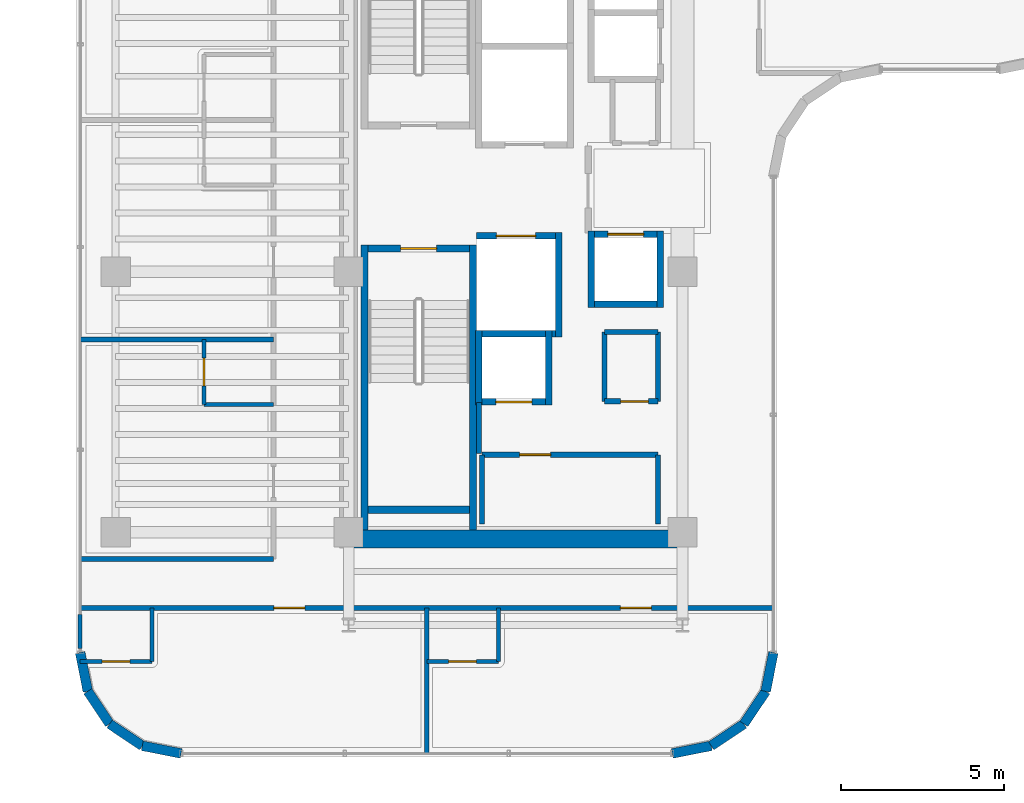
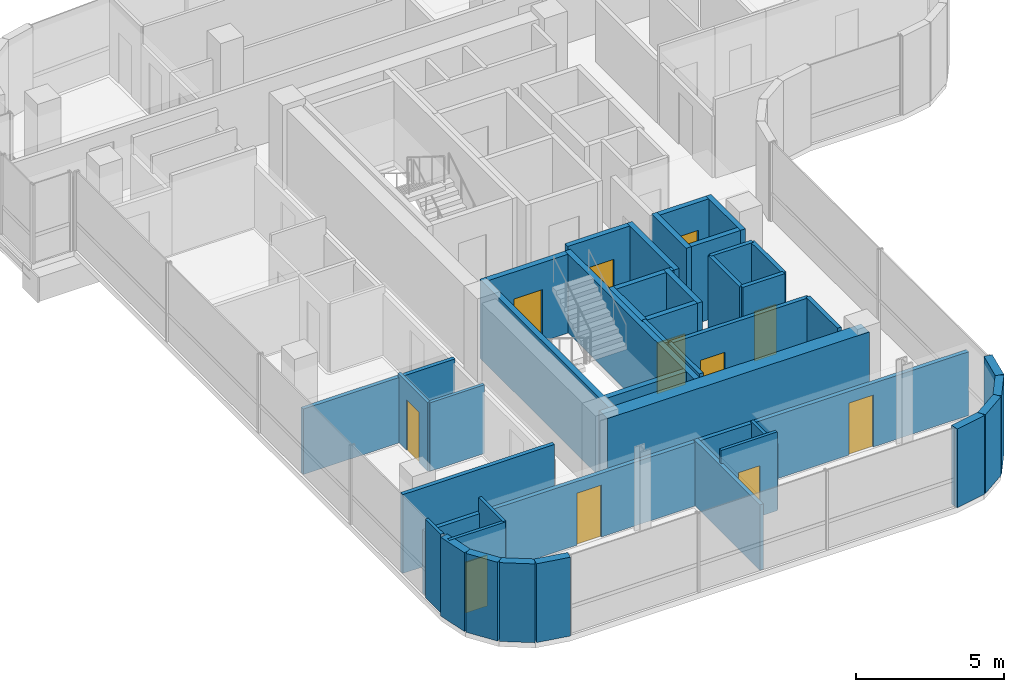
# One storey, part 17 of 23: 42 walls, 11 doors, 11 openings.
"""IFC4 building model written with IfcOpenShell, lengths in metres."""

from ifc_helpers import new_model, si_unit, direction, frame, frame_2d, origin, place, context, subcontext, project, spatial, rectangle, extrude, material, layer, layer_set, type_object, element, fill, save


model = new_model("IFC4")

# Units and contexts
model_context = context("Model", 3, precision=1e-05, world=origin(), true_north=direction((0.0, 1.0)))
body_context = subcontext(model_context, "Body", "Model", "MODEL_VIEW")
ifc_project = project(units=[si_unit("LENGTHUNIT", "METRE"), si_unit("AREAUNIT", "SQUARE_METRE"), si_unit("VOLUMEUNIT", "CUBIC_METRE"), si_unit("PLANEANGLEUNIT", "RADIAN"), si_unit("MASSUNIT", "GRAM", prefix="KILO")], contexts=[model_context])

# Site, building, storey
site_placement = place(None, origin())
site = spatial("IfcSite", under=ifc_project, at=site_placement, CompositionType="ELEMENT")
building_placement = place(site_placement, origin())
building = spatial("IfcBuilding", under=site, at=building_placement, Name="Valdorenza Pilgrim Sanctuary Tower", CompositionType="ELEMENT")
storey_placement = place(building_placement, frame((0.0, 0.0, 226.5)))
storey = spatial("IfcBuildingStorey", under=building, at=storey_placement, Name="L58", CompositionType="ELEMENT", Elevation=226.5)

# Wall
ifc_material_1 = material(Name="Acoustic twin-stud gypsum partition", Category="gypsum")
ifc_layer_1 = layer(ifc_material_1, 0.159912109375, Name="Acoustic twin-stud gypsum partition")
ifc_layer_set_1 = layer_set([ifc_layer_1], Name="Acoustic twin-stud gypsum partition")
wall_type_1 = type_object("IfcWallType", Name="WAL-COR-160", PredefinedType="PARTITIONING", material=ifc_layer_set_1)
wall_1_placement = place(storey_placement, frame((-18.64990234375, -8.179931640625, 0.0), z_axis=(0.0, 0.0, 1.0), x_axis=(0.0, 1.0, 0.0)))
element("IfcWall", 1, at=wall_1_placement, inside=storey, type_object=wall_type_1, Name="L58 Core A South Lift Hall West Wall", PredefinedType="PARTITIONING", context=body_context, shape_type="SweptSolid", body=[
    extrude(rectangle(XDim=1.559814453125, YDim=0.159912109375, at=frame_2d((0.77978515625, 0.0))), origin(), (0.0, 0.0, 1.0), 3.260009765625),
])

# Wall, opening, door
wall_2_placement = place(storey_placement, frame((-18.550048828125, -8.219970703125, 0.0), z_axis=(0.0, 0.0, 1.0), x_axis=(1.0, 0.0, 0.0)))
wall_2 = element("IfcWall", 2, at=wall_2_placement, inside=storey, type_object=wall_type_1, Name="L58 Freed Shaft 1 North Wall", PredefinedType="PARTITIONING", context=body_context, shape_type="SweptSolid", body=[
    extrude(rectangle(XDim=5.400146484375, YDim=0.159912109375, at=frame_2d((2.7001953125, 0.0))), origin(), (0.0, 0.0, 1.0), 3.260009765625),
])
opening_1_placement = place(wall_2_placement, frame((1.14990234375, 0.0, 0.0)))
opening_1 = element("IfcOpeningElement", 3, at=opening_1_placement, cuts=wall_2, Name="Opening DR-UN1", PredefinedType="OPENING", context=body_context, shape_type="SweptSolid", body=[
    extrude(rectangle(XDim=0.949951171875, YDim=2.14990234375, at=frame_2d((0.47509765625, 1.074951171875))), frame((0.0, 0.0947265625, 0.0), z_axis=(0.0, -1.0, 0.0), x_axis=(1.0, 0.0, 0.0)), (0.0, 0.0, 1.0), 0.189697265625),
])
ifc_material_2 = material(Name="Solid-core European oak timber", Category="wood")
door_type_1 = type_object("IfcDoorType", Name="DR-UNIT-950", OperationType="NOTDEFINED", PredefinedType="DOOR", material=ifc_material_2)
door_1_placement = place(opening_1_placement, origin())
door_1 = element("IfcDoor", 4, at=door_1_placement, inside=storey, type_object=door_type_1, Name="L58 Back-of-House Linen Store Door", OperationType="SINGLE_SWING_RIGHT", OverallHeight=2.14990234375, OverallWidth=0.949951171875, PredefinedType="DOOR", context=body_context, shape_type="SweptSolid", body=[
    extrude(rectangle(XDim=0.949951171875, YDim=2.14990234375, at=frame_2d((0.47509765625, 1.074951171875))), frame((0.0, 0.02490234375, 0.0), z_axis=(0.0, -1.0, 0.0), x_axis=(1.0, 0.0, 0.0)), (0.0, 0.0, 1.0), 0.050048828125),
])
fill(opening_1, door_1)

# Wall
wall_3_placement = place(storey_placement, frame((-13.14990234375, -10.35009765625, 0.0), z_axis=(0.0, 0.0, 1.0), x_axis=(0.0, 1.0, 0.0)))
element("IfcWall", 5, at=wall_3_placement, inside=storey, type_object=wall_type_1, Name="L58 Freed Shaft 1 East Wall", PredefinedType="PARTITIONING", context=body_context, shape_type="SweptSolid", body=[
    extrude(rectangle(XDim=2.130126953125, YDim=0.159912109375, at=frame_2d((1.06494140625, 0.0))), origin(), (0.0, 0.0, 1.0), 3.260009765625),
])

# Wall, opening, door
wall_4_placement = place(storey_placement, frame((-14.800048828125, -6.580078125, 0.0), z_axis=(0.0, 0.0, 1.0), x_axis=(1.0, 0.0, 0.0)))
wall_4 = element("IfcWall", 6, at=wall_4_placement, inside=storey, type_object=wall_type_1, Name="L58 Freed Shaft 2 South Wall", PredefinedType="PARTITIONING", context=body_context, shape_type="SweptSolid", body=[
    extrude(rectangle(XDim=1.650146484375, YDim=0.159912109375, at=frame_2d((0.8251953125, 0.0))), origin(), (0.0, 0.0, 1.0), 3.260009765625),
])
opening_2_placement = place(wall_4_placement, frame((0.5, 0.0, 0.0)))
opening_2 = element("IfcOpeningElement", 7, at=opening_2_placement, cuts=wall_4, Name="Opening DR-RS1", PredefinedType="OPENING", context=body_context, shape_type="SweptSolid", body=[
    extrude(rectangle(XDim=0.85009765625, YDim=2.050048828125, at=frame_2d((0.425048828125, 1.02490234375))), frame((0.0, 0.0947265625, 0.0), z_axis=(0.0, -1.0, 0.0), x_axis=(1.0, 0.0, 0.0)), (0.0, 0.0, 1.0), 0.189697265625),
])
ifc_material_3 = material(Name="Painted galvanized steel", Category="steel")
door_type_2 = type_object("IfcDoorType", Name="DR-RSR-850", OperationType="NOTDEFINED", PredefinedType="DOOR", material=ifc_material_3)
door_2_placement = place(opening_2_placement, origin())
door_2 = element("IfcDoor", 8, at=door_2_placement, inside=storey, type_object=door_type_2, Name="L58 Guest Tea Pantry Door", OperationType="SINGLE_SWING_LEFT", OverallHeight=2.050048828125, OverallWidth=0.85009765625, PredefinedType="DOOR", context=body_context, shape_type="SweptSolid", body=[
    extrude(rectangle(XDim=0.85009765625, YDim=2.050048828125, at=frame_2d((0.425048828125, 1.02490234375))), frame((0.0, 0.02490234375, 0.0), z_axis=(0.0, -1.0, 0.0), x_axis=(1.0, 0.0, 0.0)), (0.0, 0.0, 1.0), 0.050048828125),
])
fill(opening_2, door_2)

# Wall
wall_5_placement = place(storey_placement, frame((-13.14990234375, -6.580078125, 0.0), z_axis=(0.0, 0.0, 1.0), x_axis=(0.0, 1.0, 0.0)))
element("IfcWall", 9, at=wall_5_placement, inside=storey, type_object=wall_type_1, Name="L58 Freed Shaft 2 East Wall", PredefinedType="PARTITIONING", context=body_context, shape_type="SweptSolid", body=[
    extrude(rectangle(XDim=2.130126953125, YDim=0.159912109375, at=frame_2d((1.06494140625, 0.0))), origin(), (0.0, 0.0, 1.0), 3.260009765625),
])

# Wall, openings, doors
wall_6_placement = place(storey_placement, frame((-30.889892578125, -12.919921875, 0.0), z_axis=(0.0, 0.0, 1.0), x_axis=(1.0, 0.0, 0.0)))
wall_6 = element("IfcWall", 10, at=wall_6_placement, inside=storey, type_object=wall_type_1, Name="L58 South Wing Corridor Wall", PredefinedType="PARTITIONING", context=body_context, shape_type="SweptSolid", body=[
    extrude(rectangle(XDim=21.27978515625, YDim=0.159912109375, at=frame_2d((10.639892578125, 0.0))), origin(), (0.0, 0.0, 1.0), 2.634033203125),
])
opening_3_placement = place(wall_6_placement, frame((5.945068359375, 0.0, 0.0)))
opening_3 = element("IfcOpeningElement", 11, at=opening_3_placement, cuts=wall_6, Name="Opening DR-UN1", PredefinedType="OPENING", context=body_context, shape_type="SweptSolid", body=[
    extrude(rectangle(XDim=0.949951171875, YDim=2.14990234375, at=frame_2d((0.47509765625, 1.074951171875))), frame((0.0, 0.0947265625, 0.0), z_axis=(0.0, -1.0, 0.0), x_axis=(1.0, 0.0, 0.0)), (0.0, 0.0, 1.0), 0.189697265625),
])
opening_4_placement = place(wall_6_placement, frame((16.5849609375, 0.0, 0.0)))
opening_4 = element("IfcOpeningElement", 12, at=opening_4_placement, cuts=wall_6, Name="Opening DR-UN1", PredefinedType="OPENING", context=body_context, shape_type="SweptSolid", body=[
    extrude(rectangle(XDim=0.949951171875, YDim=2.14990234375, at=frame_2d((0.47509765625, 1.074951171875))), frame((0.0, 0.0947265625, 0.0), z_axis=(0.0, -1.0, 0.0), x_axis=(1.0, 0.0, 0.0)), (0.0, 0.0, 1.0), 0.189697265625),
])
door_3_placement = place(opening_3_placement, origin())
door_3 = element("IfcDoor", 13, at=door_3_placement, inside=storey, type_object=door_type_1, Name="L58 South Sanctuary Guest Room L58-S1A Entrance Door", OperationType="SINGLE_SWING_RIGHT", OverallHeight=2.14990234375, OverallWidth=0.949951171875, PredefinedType="DOOR", context=body_context, shape_type="SweptSolid", body=[
    extrude(rectangle(XDim=0.949951171875, YDim=2.14990234375, at=frame_2d((0.47509765625, 1.074951171875))), frame((0.0, 0.02490234375, 0.0), z_axis=(0.0, -1.0, 0.0), x_axis=(1.0, 0.0, 0.0)), (0.0, 0.0, 1.0), 0.050048828125),
])
fill(opening_3, door_3)
door_4_placement = place(opening_4_placement, origin())
door_4 = element("IfcDoor", 14, at=door_4_placement, inside=storey, type_object=door_type_1, Name="L58 South Sanctuary Guest Room L58-S1B Entrance Door", OperationType="SINGLE_SWING_RIGHT", OverallHeight=2.14990234375, OverallWidth=0.949951171875, PredefinedType="DOOR", context=body_context, shape_type="SweptSolid", body=[
    extrude(rectangle(XDim=0.949951171875, YDim=2.14990234375, at=frame_2d((0.47509765625, 1.074951171875))), frame((0.0, 0.02490234375, 0.0), z_axis=(0.0, -1.0, 0.0), x_axis=(1.0, 0.0, 0.0)), (0.0, 0.0, 1.0), 0.050048828125),
])
fill(opening_4, door_4)

# Walls
wall_7_placement = place(storey_placement, frame((-30.889892578125, -11.419921875, 0.0), z_axis=(0.0, 0.0, 1.0), x_axis=(1.0, 0.0, 0.0)))
element("IfcWall", 15, at=wall_7_placement, inside=storey, type_object=wall_type_1, Name="L58 South-West Corridor North Wall", PredefinedType="PARTITIONING", context=body_context, shape_type="SweptSolid", body=[
    extrude(rectangle(XDim=5.93994140625, YDim=0.159912109375, at=frame_2d((2.969970703125, 0.0))), origin(), (0.0, 0.0, 1.0), 3.260009765625),
])
ifc_material_4 = material(Name="Concrete C50/60", Category="concrete")
ifc_layer_2 = layer(ifc_material_4, 0.550048828125, Name="Concrete C50/60")
ifc_layer_set_2 = layer_set([ifc_layer_2], Name="Concrete C50/60")
wall_type_2 = type_object("IfcWallType", Name="WAL-COR-550", PredefinedType="SHEAR", material=ifc_layer_set_2)
wall_8_placement = place(storey_placement, frame((-22.64990234375, -10.800048828125, 0.0), z_axis=(0.0, 0.0, 1.0), x_axis=(1.0, 0.0, 0.0)))
element("IfcWall", 16, at=wall_8_placement, inside=storey, type_object=wall_type_2, Name="L58 Split Core A Shear Wall S", PredefinedType="SHEAR", context=body_context, shape_type="SweptSolid", body=[
    extrude(rectangle(XDim=10.25, YDim=0.550048828125, at=frame_2d((5.125, 0.0))), origin(), (0.0, 0.0, 1.0), 3.260009765625),
])
ifc_material_5 = material(Name="Honed travertine limestone", Category="masonry")
ifc_layer_3 = layer(ifc_material_5, 0.300048828125, Name="Honed travertine limestone")
ifc_layer_set_3 = layer_set([ifc_layer_3], Name="Honed travertine limestone")
wall_type_3 = type_object("IfcWallType", Name="WAL-EXT-300", PredefinedType="SOLIDWALL", material=ifc_layer_set_3)
wall_9_placement = place(storey_placement, frame((-9.610107421875, -14.289306640625, 0.0), z_axis=(0.0, 0.0, 1.0), x_axis=(-0.194996050505, -0.980804027463, 0.0)))
element("IfcWall", 17, at=wall_9_placement, inside=storey, type_object=wall_type_3, Name="L58 Rounded Wind-Corner Stone Pier 22", PredefinedType="SOLIDWALL", context=body_context, shape_type="SweptSolid", body=[
    extrude(rectangle(XDim=1.2158203125, YDim=0.300048828125, at=frame_2d((0.60791015625, 0.0))), origin(), (0.0, 0.0, 1.0), 3.260009765625),
])
for number, where, z_axis, x_axis, name in (
    (18, (-9.84716796875, -15.481689453125, 0.0), (0.0, 0.0, 1.0), (-0.555635100982, -0.831426265255, 0.0), "L58 Rounded Wind-Corner Stone Pier 23"),
    (19, (-10.5166015625, -16.4833984375, 0.0), (0.0, 0.0, 1.0), (-0.831426265255, -0.555635100982, 0.0), "L58 Rounded Wind-Corner Stone Pier 24"),
):
    element("IfcWall", number, at=place(storey_placement, frame(where, z_axis=z_axis, x_axis=x_axis)), inside=storey, type_object=wall_type_3, Name=name, PredefinedType="SOLIDWALL", context=body_context, shape_type="SweptSolid", body=[
        extrude(rectangle(XDim=1.204833984375, YDim=0.300048828125, at=frame_2d((0.6025390625, 0.0))), origin(), (0.0, 0.0, 1.0), 3.260009765625),
    ])
for number, where, z_axis, x_axis, name in (
    (20, (-11.518310546875, -17.15283203125, 0.0), (0.0, 0.0, 1.0), (-0.980804027463, -0.194996050505, 0.0), "L58 Rounded Wind-Corner Stone Pier 25"),
    (21, (-27.789306640625, -17.389892578125, 0.0), (0.0, 0.0, 1.0), (-0.980804027463, 0.194996050505, 0.0), "L58 Rounded Wind-Corner Stone Pier 27"),
):
    element("IfcWall", number, at=place(storey_placement, frame(where, z_axis=z_axis, x_axis=x_axis)), inside=storey, type_object=wall_type_3, Name=name, PredefinedType="SOLIDWALL", context=body_context, shape_type="SweptSolid", body=[
        extrude(rectangle(XDim=1.2158203125, YDim=0.300048828125, at=frame_2d((0.60791015625, 0.0))), origin(), (0.0, 0.0, 1.0), 3.260009765625),
    ])
for number, where, z_axis, x_axis, name in (
    (22, (-28.981689453125, -17.15283203125, 0.0), (0.0, 0.0, 1.0), (-0.831426265255, 0.555635100982, 0.0), "L58 Rounded Wind-Corner Stone Pier 28"),
    (23, (-29.9833984375, -16.4833984375, 0.0), (0.0, 0.0, 1.0), (-0.555635100982, 0.831426265255, 0.0), "L58 Rounded Wind-Corner Stone Pier 29"),
):
    element("IfcWall", number, at=place(storey_placement, frame(where, z_axis=z_axis, x_axis=x_axis)), inside=storey, type_object=wall_type_3, Name=name, PredefinedType="SOLIDWALL", context=body_context, shape_type="SweptSolid", body=[
        extrude(rectangle(XDim=1.204833984375, YDim=0.300048828125, at=frame_2d((0.6025390625, 0.0))), origin(), (0.0, 0.0, 1.0), 3.260009765625),
    ])
wall_10_placement = place(storey_placement, frame((-30.65283203125, -15.481689453125, 0.0), z_axis=(0.0, 0.0, 1.0), x_axis=(-0.194996050505, 0.980804027463, 0.0)))
element("IfcWall", 24, at=wall_10_placement, inside=storey, type_object=wall_type_3, Name="L58 Rounded Wind-Corner Stone Pier 30", PredefinedType="SOLIDWALL", context=body_context, shape_type="SweptSolid", body=[
    extrude(rectangle(XDim=1.2158203125, YDim=0.300048828125, at=frame_2d((0.60791015625, 0.0))), origin(), (0.0, 0.0, 1.0), 3.260009765625),
])
ifc_material_6 = material(Name="Moisture-resistant gypsum partition", Category="gypsum")
ifc_layer_4 = layer(ifc_material_6, 0.1201171875, Name="Moisture-resistant gypsum partition")
ifc_layer_set_4 = layer_set([ifc_layer_4], Name="Moisture-resistant gypsum partition")
wall_type_4 = type_object("IfcWallType", Name="WAL-INT-120", PredefinedType="PARTITIONING", material=ifc_layer_set_4)
wall_11_placement = place(storey_placement, frame((-27.087890625, -6.679931640625, 0.0), z_axis=(0.0, 0.0, 1.0), x_axis=(1.0, 0.0, 0.0)))
element("IfcWall", 25, at=wall_11_placement, inside=storey, type_object=wall_type_4, Name="L58 Sanctuary Guest Room L58-W1 En-suite South Wall", PredefinedType="PARTITIONING", context=body_context, shape_type="SweptSolid", body=[
    extrude(rectangle(XDim=2.137939453125, YDim=0.1201171875, at=frame_2d((1.06884765625, 0.0))), origin(), (0.0, 0.0, 1.0), 2.839111328125),
])

# Wall, opening, door
wall_12_placement = place(storey_placement, frame((-27.087890625, -6.679931640625, 0.0), z_axis=(0.0, 0.0, 1.0), x_axis=(0.0, 1.0, 0.0)))
wall_12 = element("IfcWall", 26, at=wall_12_placement, inside=storey, type_object=wall_type_4, Name="L58 Sanctuary Guest Room L58-W1 En-suite Door Wall", PredefinedType="PARTITIONING", context=body_context, shape_type="SweptSolid", body=[
    extrude(rectangle(XDim=2.0, YDim=0.1201171875, at=frame_2d((1.0, 0.0))), origin(), (0.0, 0.0, 1.0), 2.839111328125),
])
opening_5_placement = place(wall_12_placement, frame((0.574951171875, 0.0, 0.0)))
opening_5 = element("IfcOpeningElement", 27, at=opening_5_placement, cuts=wall_12, Name="Opening DR-WC1", PredefinedType="OPENING", context=body_context, shape_type="SweptSolid", body=[
    extrude(rectangle(XDim=0.85009765625, YDim=2.10009765625, at=frame_2d((0.425048828125, 1.050048828125))), frame((0.0, 0.074951171875, 0.0), z_axis=(0.0, -1.0, 0.0), x_axis=(1.0, 0.0, 0.0)), (0.0, 0.0, 1.0), 0.14990234375),
])
ifc_material_7 = material(Name="Moisture-resistant lacquered timber", Category="wood")
door_type_3 = type_object("IfcDoorType", Name="DR-BATH-850", OperationType="NOTDEFINED", PredefinedType="DOOR", material=ifc_material_7)
door_5_placement = place(opening_5_placement, origin())
door_5 = element("IfcDoor", 28, at=door_5_placement, inside=storey, type_object=door_type_3, Name="L58 Sanctuary Guest Room L58-W1 En-suite Bathroom Door", OperationType="SINGLE_SWING_LEFT", OverallHeight=2.10009765625, OverallWidth=0.85009765625, PredefinedType="DOOR", context=body_context, shape_type="SweptSolid", body=[
    extrude(rectangle(XDim=0.85009765625, YDim=2.10009765625, at=frame_2d((0.425048828125, 1.050048828125))), frame((0.0, 0.02490234375, 0.0), z_axis=(0.0, -1.0, 0.0), x_axis=(1.0, 0.0, 0.0)), (0.0, 0.0, 1.0), 0.050048828125),
])
fill(opening_5, door_5)

# Wall
wall_13_placement = place(storey_placement, frame((-28.68994140625, -14.570068359375, 0.0), z_axis=(0.0, 0.0, 1.0), x_axis=(0.0, 1.0, 0.0)))
element("IfcWall", 29, at=wall_13_placement, inside=storey, type_object=wall_type_4, Name="L58 South Sanctuary Guest Room L58-S1A En-suite East Wall", PredefinedType="PARTITIONING", context=body_context, shape_type="SweptSolid", body=[
    extrude(rectangle(XDim=1.650146484375, YDim=0.1201171875, at=frame_2d((0.8251953125, 0.0))), origin(), (0.0, 0.0, 1.0), 3.260009765625),
])

# Wall, opening, door
wall_14_placement = place(storey_placement, frame((-30.889892578125, -14.570068359375, 0.0), z_axis=(0.0, 0.0, 1.0), x_axis=(1.0, 0.0, 0.0)))
wall_14 = element("IfcWall", 30, at=wall_14_placement, inside=storey, type_object=wall_type_4, Name="L58 South Sanctuary Guest Room L58-S1A En-suite Door Wall", PredefinedType="PARTITIONING", context=body_context, shape_type="SweptSolid", body=[
    extrude(rectangle(XDim=2.199951171875, YDim=0.1201171875, at=frame_2d((1.10009765625, 0.0))), origin(), (0.0, 0.0, 1.0), 3.260009765625),
])
opening_6_placement = place(wall_14_placement, frame((0.675048828125, 0.0, 0.0)))
opening_6 = element("IfcOpeningElement", 31, at=opening_6_placement, cuts=wall_14, Name="Opening DR-WC1", PredefinedType="OPENING", context=body_context, shape_type="SweptSolid", body=[
    extrude(rectangle(XDim=0.85009765625, YDim=2.10009765625, at=frame_2d((0.425048828125, 1.050048828125))), frame((0.0, 0.074951171875, 0.0), z_axis=(0.0, -1.0, 0.0), x_axis=(1.0, 0.0, 0.0)), (0.0, 0.0, 1.0), 0.14990234375),
])
door_6_placement = place(opening_6_placement, origin())
door_6 = element("IfcDoor", 32, at=door_6_placement, inside=storey, type_object=door_type_3, Name="L58 South Sanctuary Guest Room L58-S1A En-suite Bathroom Door", OperationType="SINGLE_SWING_LEFT", OverallHeight=2.10009765625, OverallWidth=0.85009765625, PredefinedType="DOOR", context=body_context, shape_type="SweptSolid", body=[
    extrude(rectangle(XDim=0.85009765625, YDim=2.10009765625, at=frame_2d((0.425048828125, 1.050048828125))), frame((0.0, 0.02490234375, 0.0), z_axis=(0.0, -1.0, 0.0), x_axis=(1.0, 0.0, 0.0)), (0.0, 0.0, 1.0), 0.050048828125),
])
fill(opening_6, door_6)

# Walls
wall_15_placement = place(storey_placement, frame((-30.889892578125, -14.166748046875, 0.0), z_axis=(0.0, 0.0, 1.0), x_axis=(0.0, 1.0, 0.0)))
element("IfcWall", 33, at=wall_15_placement, inside=storey, type_object=wall_type_4, Name="L58 SW-FL1A-ENS Enclosure Wall W", PredefinedType="PARTITIONING", context=body_context, shape_type="SweptSolid", body=[
    extrude(rectangle(XDim=1.046630859375, YDim=0.1201171875, at=frame_2d((0.5234375, 0.0))), origin(), (0.0, 0.0, 1.0), 3.260009765625),
])
wall_16_placement = place(storey_placement, frame((-18.050048828125, -14.570068359375, 0.0), z_axis=(0.0, 0.0, 1.0), x_axis=(0.0, 1.0, 0.0)))
element("IfcWall", 34, at=wall_16_placement, inside=storey, type_object=wall_type_4, Name="L58 South Sanctuary Guest Room L58-S1B En-suite East Wall", PredefinedType="PARTITIONING", context=body_context, shape_type="SweptSolid", body=[
    extrude(rectangle(XDim=1.650146484375, YDim=0.1201171875, at=frame_2d((0.8251953125, 0.0))), origin(), (0.0, 0.0, 1.0), 2.7060546875),
])

# Wall, opening, door
wall_17_placement = place(storey_placement, frame((-20.25, -14.570068359375, 0.0), z_axis=(0.0, 0.0, 1.0), x_axis=(1.0, 0.0, 0.0)))
wall_17 = element("IfcWall", 35, at=wall_17_placement, inside=storey, type_object=wall_type_4, Name="L58 South Sanctuary Guest Room L58-S1B En-suite Door Wall", PredefinedType="PARTITIONING", context=body_context, shape_type="SweptSolid", body=[
    extrude(rectangle(XDim=2.199951171875, YDim=0.1201171875, at=frame_2d((1.10009765625, 0.0))), origin(), (0.0, 0.0, 1.0), 3.260009765625),
])
opening_7_placement = place(wall_17_placement, frame((0.675048828125, 0.0, 0.0)))
opening_7 = element("IfcOpeningElement", 36, at=opening_7_placement, cuts=wall_17, Name="Opening DR-WC1", PredefinedType="OPENING", context=body_context, shape_type="SweptSolid", body=[
    extrude(rectangle(XDim=0.85009765625, YDim=2.10009765625, at=frame_2d((0.425048828125, 1.050048828125))), frame((0.0, 0.074951171875, 0.0), z_axis=(0.0, -1.0, 0.0), x_axis=(1.0, 0.0, 0.0)), (0.0, 0.0, 1.0), 0.14990234375),
])
door_7_placement = place(opening_7_placement, origin())
door_7 = element("IfcDoor", 37, at=door_7_placement, inside=storey, type_object=door_type_3, Name="L58 South Sanctuary Guest Room L58-S1B En-suite Bathroom Door", OperationType="SINGLE_SWING_LEFT", OverallHeight=2.10009765625, OverallWidth=0.85009765625, PredefinedType="DOOR", context=body_context, shape_type="SweptSolid", body=[
    extrude(rectangle(XDim=0.85009765625, YDim=2.10009765625, at=frame_2d((0.425048828125, 1.050048828125))), frame((0.0, 0.02490234375, 0.0), z_axis=(0.0, -1.0, 0.0), x_axis=(1.0, 0.0, 0.0)), (0.0, 0.0, 1.0), 0.050048828125),
])
fill(opening_7, door_7)

# Walls
ifc_material_8 = material(Name="Autoclaved aerated concrete blockwork", Category="masonry")
ifc_layer_5 = layer(ifc_material_8, 0.199951171875, Name="Autoclaved aerated concrete blockwork")
ifc_layer_set_5 = layer_set([ifc_layer_5], Name="Autoclaved aerated concrete blockwork")
wall_type_5 = type_object("IfcWallType", Name="WAL-SHF-200", PredefinedType="MOVABLE", material=ifc_layer_set_5)
wall_18_placement = place(storey_placement, frame((-16.199951171875, -4.60009765625, 0.0), z_axis=(0.0, 0.0, 1.0), x_axis=(0.0, 1.0, 0.0)))
element("IfcWall", 38, at=wall_18_placement, inside=storey, type_object=wall_type_5, Name="L58 Lift FFL-02 Hoistway Wall East", PredefinedType="MOVABLE", context=body_context, shape_type="SweptSolid", body=[
    extrude(rectangle(XDim=3.2001953125, YDim=0.199951171875, at=frame_2d((1.60009765625, 0.0))), origin(), (0.0, 0.0, 1.0), 3.260009765625),
])
wall_19_placement = place(storey_placement, frame((-18.719970703125, -4.5, 0.0), z_axis=(0.0, 0.0, 1.0), x_axis=(1.0, 0.0, 0.0)))
element("IfcWall", 39, at=wall_19_placement, inside=storey, type_object=wall_type_5, Name="L58 Lift FFL-02 Hoistway Wall South", PredefinedType="MOVABLE", context=body_context, shape_type="SweptSolid", body=[
    extrude(rectangle(XDim=2.419921875, YDim=0.199951171875, at=frame_2d((1.2099609375, 0.0))), origin(), (0.0, 0.0, 1.0), 3.260009765625),
])

# Wall, opening, door
wall_20_placement = place(storey_placement, frame((-18.719970703125, -1.5, 0.0), z_axis=(0.0, 0.0, 1.0), x_axis=(1.0, 0.0, 0.0)))
wall_20 = element("IfcWall", 40, at=wall_20_placement, inside=storey, type_object=wall_type_5, Name="L58 Lift FFL-02 Hoistway Wall North", PredefinedType="MOVABLE", context=body_context, shape_type="SweptSolid", body=[
    extrude(rectangle(XDim=2.419921875, YDim=0.199951171875, at=frame_2d((1.2099609375, 0.0))), origin(), (0.0, 0.0, 1.0), 3.260009765625),
])
opening_8_placement = place(wall_20_placement, frame((0.610107421875, 0.0, 0.0)))
opening_8 = element("IfcOpeningElement", 41, at=opening_8_placement, cuts=wall_20, Name="Opening LD-02", PredefinedType="OPENING", context=body_context, shape_type="SweptSolid", body=[
    extrude(rectangle(XDim=1.199951171875, YDim=2.10009765625, at=frame_2d((0.60009765625, 1.050048828125))), frame((0.0, 0.11474609375, 0.0), z_axis=(0.0, -1.0, 0.0), x_axis=(1.0, 0.0, 0.0)), (0.0, 0.0, 1.0), 0.229736328125),
])
ifc_material_9 = material(Name="Brushed stainless steel Grade 316", Category="steel")
door_type_4 = type_object("IfcDoorType", Name="DR-LFT-1200", OperationType="DOUBLE_DOOR_SLIDING", PredefinedType="DOOR", material=ifc_material_9)
door_8_placement = place(opening_8_placement, origin())
door_8 = element("IfcDoor", 42, at=door_8_placement, inside=storey, type_object=door_type_4, Name="L58 Lift FFL-02 Sliding Landing Door", OperationType="DOUBLE_DOOR_SLIDING", OverallHeight=2.10009765625, OverallWidth=1.199951171875, PredefinedType="DOOR", context=body_context, shape_type="SweptSolid", body=[
    extrude(rectangle(XDim=1.199951171875, YDim=2.10009765625, at=frame_2d((0.60009765625, 1.050048828125))), frame((0.0, 0.02490234375, 0.0), z_axis=(0.0, -1.0, 0.0), x_axis=(1.0, 0.0, 0.0)), (0.0, 0.0, 1.0), 0.050048828125),
])
fill(opening_8, door_8)

# Walls
for number, where, z_axis, x_axis, name in (
    (43, (-18.64990234375, -6.699951171875, 0.0), (0.0, 0.0, 1.0), (0.0, 1.0, 0.0), "L58 Lift PL-11 Hoistway Wall West"),
    (44, (-16.5, -6.699951171875, 0.0), (0.0, 0.0, 1.0), (0.0, 1.0, 0.0), "L58 Lift PL-11 Hoistway Wall East"),
):
    element("IfcWall", number, at=place(storey_placement, frame(where, z_axis=z_axis, x_axis=x_axis)), inside=storey, type_object=wall_type_5, Name=name, PredefinedType="MOVABLE", context=body_context, shape_type="SweptSolid", body=[
        extrude(rectangle(XDim=2.300048828125, YDim=0.199951171875, at=frame_2d((1.14990234375, 0.0))), origin(), (0.0, 0.0, 1.0), 3.260009765625),
    ])

# Wall, opening, door
wall_21_placement = place(storey_placement, frame((-18.550048828125, -6.60009765625, 0.0), z_axis=(0.0, 0.0, 1.0), x_axis=(1.0, 0.0, 0.0)))
wall_21 = element("IfcWall", 45, at=wall_21_placement, inside=storey, type_object=wall_type_5, Name="L58 Lift PL-11 Hoistway Wall South", PredefinedType="MOVABLE", context=body_context, shape_type="SweptSolid", body=[
    extrude(rectangle(XDim=1.949951171875, YDim=0.199951171875, at=frame_2d((0.97509765625, 0.0))), origin(), (0.0, 0.0, 1.0), 3.260009765625),
])
opening_9_placement = place(wall_21_placement, frame((0.425048828125, 0.0, 0.0)))
opening_9 = element("IfcOpeningElement", 46, at=opening_9_placement, cuts=wall_21, Name="Opening LD-01", PredefinedType="OPENING", context=body_context, shape_type="SweptSolid", body=[
    extrude(rectangle(XDim=1.10009765625, YDim=2.10009765625, at=frame_2d((0.550048828125, 1.050048828125))), frame((0.0, 0.11474609375, 0.0), z_axis=(0.0, -1.0, 0.0), x_axis=(1.0, 0.0, 0.0)), (0.0, 0.0, 1.0), 0.229736328125),
])
door_type_5 = type_object("IfcDoorType", Name="DR-LFT-1100", OperationType="DOUBLE_DOOR_SLIDING", PredefinedType="DOOR", material=ifc_material_9)
door_9_placement = place(opening_9_placement, origin())
door_9 = element("IfcDoor", 47, at=door_9_placement, inside=storey, type_object=door_type_5, Name="L58 Lift PL-11 Sliding Landing Door", OperationType="DOUBLE_DOOR_SLIDING", OverallHeight=2.10009765625, OverallWidth=1.10009765625, PredefinedType="DOOR", context=body_context, shape_type="SweptSolid", body=[
    extrude(rectangle(XDim=1.10009765625, YDim=2.10009765625, at=frame_2d((0.550048828125, 1.050048828125))), frame((0.0, 0.02490234375, 0.0), z_axis=(0.0, -1.0, 0.0), x_axis=(1.0, 0.0, 0.0)), (0.0, 0.0, 1.0), 0.050048828125),
])
fill(opening_9, door_9)

# Walls
for number, where, z_axis, x_axis, name in (
    (48, (-15.199951171875, -3.699951171875, 0.0), (0.0, 0.0, 1.0), (0.0, 1.0, 0.0), "L58 Lift PL-12 Hoistway Wall West"),
    (49, (-13.080078125, -3.699951171875, 0.0), (0.0, 0.0, 1.0), (0.0, 1.0, 0.0), "L58 Lift PL-12 Hoistway Wall East"),
):
    element("IfcWall", number, at=place(storey_placement, frame(where, z_axis=z_axis, x_axis=x_axis)), inside=storey, type_object=wall_type_5, Name=name, PredefinedType="MOVABLE", context=body_context, shape_type="SweptSolid", body=[
        extrude(rectangle(XDim=2.349853515625, YDim=0.199951171875, at=frame_2d((1.1748046875, 0.0))), origin(), (0.0, 0.0, 1.0), 3.260009765625),
    ])
wall_22_placement = place(storey_placement, frame((-15.10009765625, -3.60009765625, 0.0), z_axis=(0.0, 0.0, 1.0), x_axis=(1.0, 0.0, 0.0)))
element("IfcWall", 50, at=wall_22_placement, inside=storey, type_object=wall_type_5, Name="L58 Lift PL-12 Hoistway Wall South", PredefinedType="MOVABLE", context=body_context, shape_type="SweptSolid", body=[
    extrude(rectangle(XDim=1.920166015625, YDim=0.199951171875, at=frame_2d((0.9599609375, 0.0))), origin(), (0.0, 0.0, 1.0), 3.260009765625),
])

# Wall, opening, door
wall_23_placement = place(storey_placement, frame((-15.10009765625, -1.449951171875, 0.0), z_axis=(0.0, 0.0, 1.0), x_axis=(1.0, 0.0, 0.0)))
wall_23 = element("IfcWall", 51, at=wall_23_placement, inside=storey, type_object=wall_type_5, Name="L58 Lift PL-12 Hoistway Wall North", PredefinedType="MOVABLE", context=body_context, shape_type="SweptSolid", body=[
    extrude(rectangle(XDim=1.920166015625, YDim=0.199951171875, at=frame_2d((0.9599609375, 0.0))), origin(), (0.0, 0.0, 1.0), 3.260009765625),
])
opening_10_placement = place(wall_23_placement, frame((0.409912109375, 0.0, 0.0)))
opening_10 = element("IfcOpeningElement", 52, at=opening_10_placement, cuts=wall_23, Name="Opening LD-01", PredefinedType="OPENING", context=body_context, shape_type="SweptSolid", body=[
    extrude(rectangle(XDim=1.10009765625, YDim=2.10009765625, at=frame_2d((0.550048828125, 1.050048828125))), frame((0.0, 0.11474609375, 0.0), z_axis=(0.0, -1.0, 0.0), x_axis=(1.0, 0.0, 0.0)), (0.0, 0.0, 1.0), 0.229736328125),
])
door_10_placement = place(opening_10_placement, origin())
door_10 = element("IfcDoor", 53, at=door_10_placement, inside=storey, type_object=door_type_5, Name="L58 Lift PL-12 Sliding Landing Door", OperationType="DOUBLE_DOOR_SLIDING", OverallHeight=2.10009765625, OverallWidth=1.10009765625, PredefinedType="DOOR", context=body_context, shape_type="SweptSolid", body=[
    extrude(rectangle(XDim=1.10009765625, YDim=2.10009765625, at=frame_2d((0.550048828125, 1.050048828125))), frame((0.0, 0.02490234375, 0.0), z_axis=(0.0, -1.0, 0.0), x_axis=(1.0, 0.0, 0.0)), (0.0, 0.0, 1.0), 0.050048828125),
])
fill(opening_10, door_10)

# Walls
ifc_material_10 = material(Name="Concrete C40/50", Category="concrete")
ifc_layer_6 = layer(ifc_material_10, 0.219970703125, Name="Concrete C40/50")
ifc_layer_set_6 = layer_set([ifc_layer_6], Name="Concrete C40/50")
wall_type_6 = type_object("IfcWallType", Name="WAL-STR-SHF-220", PredefinedType="SHEAR", material=ifc_layer_set_6)
for number, where, z_axis, x_axis, name in (
    (54, (-22.159912109375, -10.52490234375, 0.0), (0.0, 0.0, 1.0), (0.0, 1.0, 0.0), "L58 ST-A2 Structural Stairwell Wall W"),
    (55, (-18.830078125, -10.52490234375, 0.0), (0.0, 0.0, 1.0), (0.0, 1.0, 0.0), "L58 ST-A2 Structural Stairwell Wall E"),
):
    element("IfcWall", number, at=place(storey_placement, frame(where, z_axis=z_axis, x_axis=x_axis)), inside=storey, type_object=wall_type_6, Name=name, PredefinedType="SHEAR", context=body_context, shape_type="SweptSolid", body=[
        extrude(rectangle(XDim=8.744873046875, YDim=0.219970703125, at=frame_2d((4.37255859375, 0.0))), origin(), (0.0, 0.0, 1.0), 3.260009765625),
    ])
wall_24_placement = place(storey_placement, frame((-22.050048828125, -9.909912109375, 0.0), z_axis=(0.0, 0.0, 1.0), x_axis=(1.0, 0.0, 0.0)))
element("IfcWall", 56, at=wall_24_placement, inside=storey, type_object=wall_type_6, Name="L58 ST-A2 Structural Stairwell Wall S", PredefinedType="SHEAR", context=body_context, shape_type="SweptSolid", body=[
    extrude(rectangle(XDim=3.110107421875, YDim=0.219970703125, at=frame_2d((1.55517578125, 0.0))), origin(), (0.0, 0.0, 1.0), 3.260009765625),
])

# Wall, opening, door
wall_25_placement = place(storey_placement, frame((-22.050048828125, -1.889892578125, 0.0), z_axis=(0.0, 0.0, 1.0), x_axis=(1.0, 0.0, 0.0)))
wall_25 = element("IfcWall", 57, at=wall_25_placement, inside=storey, type_object=wall_type_6, Name="L58 ST-A2 Structural Stairwell Wall N", PredefinedType="SHEAR", context=body_context, shape_type="SweptSolid", body=[
    extrude(rectangle(XDim=3.110107421875, YDim=0.219970703125, at=frame_2d((1.55517578125, 0.0))), origin(), (0.0, 0.0, 1.0), 3.260009765625),
])
opening_11_placement = place(wall_25_placement, frame((1.0, 0.0, 0.0)))
opening_11 = element("IfcOpeningElement", 58, at=opening_11_placement, cuts=wall_25, Name="Opening DR-ST1", PredefinedType="OPENING", context=body_context, shape_type="SweptSolid", body=[
    extrude(rectangle(XDim=1.10009765625, YDim=2.14990234375, at=frame_2d((0.550048828125, 1.074951171875))), frame((0.0, 0.125, 0.0), z_axis=(0.0, -1.0, 0.0), x_axis=(1.0, 0.0, 0.0)), (0.0, 0.0, 1.0), 0.249755859375),
])
door_type_6 = type_object("IfcDoorType", Name="DR-STAIR-1100", OperationType="NOTDEFINED", PredefinedType="DOOR", material=ifc_material_3)
door_11_placement = place(opening_11_placement, origin())
door_11 = element("IfcDoor", 59, at=door_11_placement, inside=storey, type_object=door_type_6, Name="L58 Exit Stair ST-A2 Door", OperationType="SINGLE_SWING_RIGHT", OverallHeight=2.14990234375, OverallWidth=1.10009765625, PredefinedType="DOOR", context=body_context, shape_type="SweptSolid", body=[
    extrude(rectangle(XDim=1.10009765625, YDim=2.14990234375, at=frame_2d((0.550048828125, 1.074951171875))), frame((0.0, 0.02490234375, 0.0), z_axis=(0.0, -1.0, 0.0), x_axis=(1.0, 0.0, 0.0)), (0.0, 0.0, 1.0), 0.050048828125),
])
fill(opening_11, door_11)

# Walls
ifc_layer_7 = layer(ifc_material_1, 0.14990234375, Name="Acoustic twin-stud gypsum partition")
ifc_layer_set_7 = layer_set([ifc_layer_7], Name="Acoustic twin-stud gypsum partition")
wall_type_7 = type_object("IfcWallType", Name="WAL-UNT-150", PredefinedType="PARTITIONING", material=ifc_layer_set_7)
for number, where, z_axis, x_axis, name in (
    (60, (-18.550048828125, -10.35009765625, 0.0), (0.0, 0.0, 1.0), (0.0, 1.0, 0.0), "L58 Freed Shaft 1 West Wall"),
    (61, (-14.800048828125, -6.580078125, 0.0), (0.0, 0.0, 1.0), (0.0, 1.0, 0.0), "L58 Freed Shaft 2 West Wall"),
):
    element("IfcWall", number, at=place(storey_placement, frame(where, z_axis=z_axis, x_axis=x_axis)), inside=storey, type_object=wall_type_7, Name=name, PredefinedType="PARTITIONING", context=body_context, shape_type="SweptSolid", body=[
        extrude(rectangle(XDim=2.130126953125, YDim=0.14990234375, at=frame_2d((1.06494140625, 0.0))), origin(), (0.0, 0.0, 1.0), 3.260009765625),
    ])
wall_26_placement = place(storey_placement, frame((-14.800048828125, -4.449951171875, 0.0), z_axis=(0.0, 0.0, 1.0), x_axis=(1.0, 0.0, 0.0)))
element("IfcWall", 62, at=wall_26_placement, inside=storey, type_object=wall_type_7, Name="L58 Freed Shaft 2 North Wall", PredefinedType="PARTITIONING", context=body_context, shape_type="SweptSolid", body=[
    extrude(rectangle(XDim=1.650146484375, YDim=0.14990234375, at=frame_2d((0.8251953125, 0.0))), origin(), (0.0, 0.0, 1.0), 3.260009765625),
])
wall_27_placement = place(storey_placement, frame((-30.889892578125, -4.679931640625, 0.0), z_axis=(0.0, 0.0, 1.0), x_axis=(1.0, 0.0, 0.0)))
element("IfcWall", 63, at=wall_27_placement, inside=storey, type_object=wall_type_7, Name="L58 West Apt Demising 1", PredefinedType="PARTITIONING", context=body_context, shape_type="SweptSolid", body=[
    extrude(rectangle(XDim=5.93994140625, YDim=0.14990234375, at=frame_2d((2.969970703125, 0.0))), origin(), (0.0, 0.0, 1.0), 2.7060546875),
])
wall_28_placement = place(storey_placement, frame((-20.25, -17.389892578125, 0.0), z_axis=(0.0, 0.0, 1.0), x_axis=(0.0, 1.0, 0.0)))
element("IfcWall", 64, at=wall_28_placement, inside=storey, type_object=wall_type_7, Name="L58 South Sanctuary Guest Room L58-S1 Split Wall", PredefinedType="PARTITIONING", context=body_context, shape_type="SweptSolid", body=[
    extrude(rectangle(XDim=4.469970703125, YDim=0.14990234375, at=frame_2d((2.23486328125, 0.0))), origin(), (0.0, 0.0, 1.0), 2.7060546875),
])

save(model, "model.ifc")
